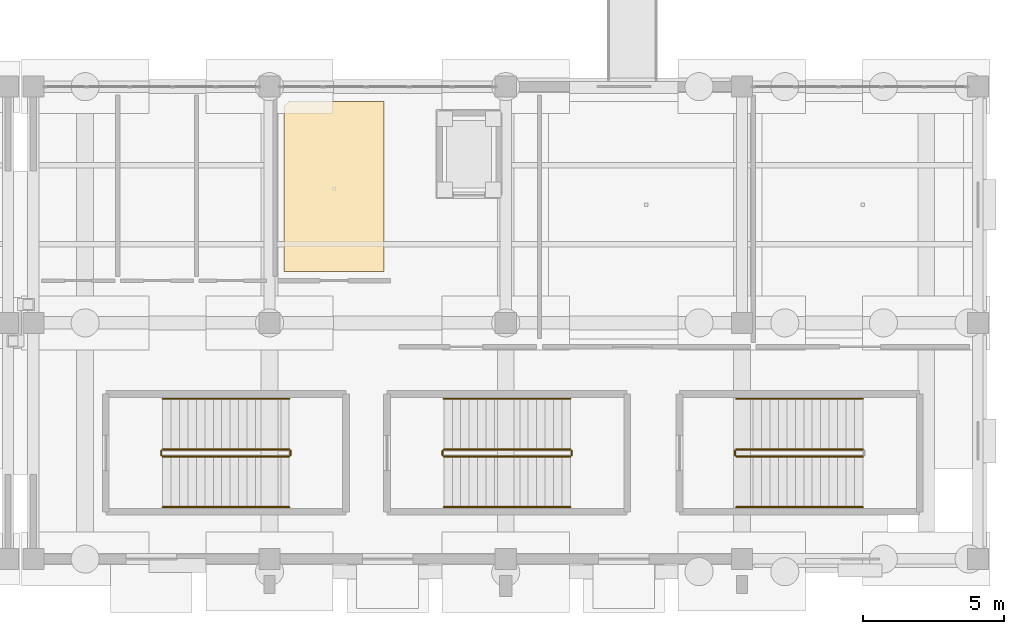
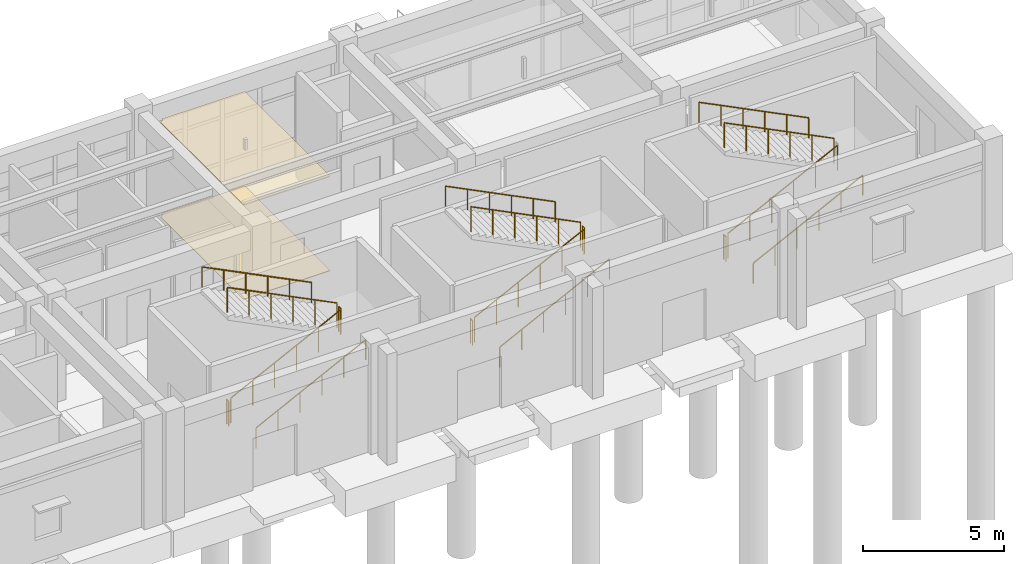
# One storey, part 26 of 29: 17 railings, 2 coverings.
"""IFC4 building model written with IfcOpenShell, lengths in metres."""

from ifc_helpers import new_model, si_unit, direction, frame, origin, origin_2d, place, context, subcontext, project, spatial, polyline, circle, outline, extrude, material, layer, layer_set, type_object, element, save


model = new_model("IFC4")

# Units and contexts
model_context = context("Model", 3, precision=1e-05, world=origin(), true_north=direction((0.0, 1.0)))
body_context = subcontext(model_context, "Body", "Model", "MODEL_VIEW")
ifc_project = project(units=[si_unit("LENGTHUNIT", "METRE"), si_unit("AREAUNIT", "SQUARE_METRE"), si_unit("VOLUMEUNIT", "CUBIC_METRE"), si_unit("PLANEANGLEUNIT", "RADIAN"), si_unit("MASSUNIT", "GRAM", prefix="KILO")], contexts=[model_context])

# Site, building, storey
site_placement = place(None, origin())
site = spatial("IfcSite", under=ifc_project, at=site_placement, CompositionType="ELEMENT")
building_placement = place(site_placement, origin())
building = spatial("IfcBuilding", under=site, at=building_placement, Name="Canglan Escarpment Cableway Terminal", CompositionType="ELEMENT")
storey_placement = place(building_placement, origin())
storey = spatial("IfcBuildingStorey", under=building, at=storey_placement, Name="L00", CompositionType="ELEMENT", Elevation=0.0)

# Coverings
ifc_material_1 = material(Name="Micro-perforated acoustic aluminium ceiling", Category="aluminium")
ifc_layer_1 = layer(ifc_material_1, 0.0400390625, Name="Micro-perforated acoustic aluminium ceiling")
ifc_layer_set_1 = layer_set([ifc_layer_1], Name="Micro-perforated acoustic aluminium ceiling")
covering_type_1 = type_object("IfcCoveringType", Name="COV-CEIL-ACOUSTIC-40", PredefinedType="CEILING", material=ifc_layer_set_1)
covering_1_placement = place(storey_placement, frame((0.0, 0.0, 4.080078125)))
element("IfcCovering", 1, at=covering_1_placement, inside=storey, type_object=covering_type_1, Name="Maternal Care Room suspended acoustic ceiling", PredefinedType="CEILING", context=body_context, shape_type="SweptSolid", body=[
    extrude(outline(polyline([(51.419921875, 24.114013671875), (51.420166015625, 24.115966796875), (51.42041015625, 24.117919921875), (51.4208984375, 24.11962890625), (51.42138671875, 24.121337890625), (51.422119140625, 24.123046875), (51.423095703125, 24.124755859375), (51.42431640625, 24.126220703125), (51.42529296875, 24.127685546875), (51.4267578125, 24.12890625), (51.42822265625, 24.130126953125), (51.4296875, 24.131103515625), (51.431396484375, 24.132080078125), (51.433349609375, 24.1328125), (51.443603515625, 24.13671875), (51.444580078125, 24.136962890625), (51.46337890625, 24.145751953125), (51.464111328125, 24.146240234375), (51.481689453125, 24.15673828125), (51.482666015625, 24.157470703125), (51.499267578125, 24.169677734375), (51.5, 24.17041015625), (51.51513671875, 24.18408203125), (51.515869140625, 24.184814453125), (51.52978515625, 24.2001953125), (51.530517578125, 24.20068359375), (51.54248046875, 24.21728515625), (51.543212890625, 24.21826171875), (51.5537109375, 24.23583984375), (51.55419921875, 24.23681640625), (51.56298828125, 24.25537109375), (51.5634765625, 24.25634765625), (51.567138671875, 24.2666015625), (51.56787109375, 24.2685546875), (51.56884765625, 24.2705078125), (51.570068359375, 24.272216796875), (51.5712890625, 24.273681640625), (51.572998046875, 24.275146484375), (51.574462890625, 24.2763671875), (51.576171875, 24.27734375), (51.577880859375, 24.2783203125), (51.580078125, 24.279052734375), (51.581787109375, 24.279541015625), (51.583984375, 24.27978515625), (51.5859375, 24.280029296875), (54.9599609375, 24.280029296875), (54.9619140625, 24.27978515625), (54.9638671875, 24.279541015625), (54.9658203125, 24.279052734375), (54.9677734375, 24.278564453125), (54.969482421875, 24.277587890625), (54.97119140625, 24.276611328125), (54.97265625, 24.275390625), (54.97412109375, 24.274169921875), (54.9755859375, 24.272705078125), (54.9765625, 24.27099609375), (54.9775390625, 24.269287109375), (54.978515625, 24.267578125), (54.97900390625, 24.265869140625), (54.9794921875, 24.263916015625), (54.97998046875, 24.261962890625), (54.97998046875, 24.260009765625), (54.97998046875, 18.239990234375), (54.97998046875, 18.238037109375), (54.9794921875, 18.236083984375), (54.97900390625, 18.234130859375), (54.978515625, 18.232421875), (54.9775390625, 18.230712890625), (54.9765625, 18.22900390625), (54.9755859375, 18.227294921875), (54.97412109375, 18.225830078125), (54.97265625, 18.224609375), (54.97119140625, 18.223388671875), (54.969482421875, 18.222412109375), (54.9677734375, 18.221435546875), (54.9658203125, 18.220947265625), (54.9638671875, 18.220458984375), (54.9619140625, 18.22021484375), (54.9599609375, 18.219970703125), (51.43994140625, 18.219970703125), (51.43798828125, 18.22021484375), (51.43603515625, 18.220458984375), (51.43408203125, 18.220947265625), (51.432373046875, 18.221435546875), (51.4306640625, 18.222412109375), (51.428955078125, 18.223388671875), (51.42724609375, 18.224609375), (51.42578125, 18.225830078125), (51.424560546875, 18.227294921875), (51.42333984375, 18.22900390625), (51.42236328125, 18.230712890625), (51.42138671875, 18.232421875), (51.4208984375, 18.234130859375), (51.42041015625, 18.236083984375), (51.420166015625, 18.238037109375), (51.419921875, 18.239990234375), (51.419921875, 24.114013671875)])), origin(), (0.0, 0.0, 1.0), 0.0400390625),
])
ifc_material_2 = material(Name="Polished mineral terrazzo flooring", Category="concrete")
ifc_layer_2 = layer(ifc_material_2, 0.02001953125, Name="Polished mineral terrazzo flooring")
ifc_layer_set_2 = layer_set([ifc_layer_2], Name="Polished mineral terrazzo flooring")
covering_type_2 = type_object("IfcCoveringType", Name="COV-FLR-TERRAZZO-20", PredefinedType="FLOORING", material=ifc_layer_set_2)
covering_2_placement = place(storey_placement, origin())
element("IfcCovering", 2, at=covering_2_placement, inside=storey, type_object=covering_type_2, Name="Maternal Care Room stone floor finish", PredefinedType="FLOORING", context=body_context, shape_type="SweptSolid", body=[
    extrude(outline(polyline([(51.419921875, 24.114013671875), (51.420166015625, 24.115966796875), (51.42041015625, 24.117919921875), (51.4208984375, 24.11962890625), (51.42138671875, 24.121337890625), (51.422119140625, 24.123046875), (51.423095703125, 24.124755859375), (51.42431640625, 24.126220703125), (51.42529296875, 24.127685546875), (51.4267578125, 24.12890625), (51.42822265625, 24.130126953125), (51.4296875, 24.131103515625), (51.431396484375, 24.132080078125), (51.433349609375, 24.1328125), (51.443603515625, 24.13671875), (51.444580078125, 24.136962890625), (51.46337890625, 24.145751953125), (51.464111328125, 24.146240234375), (51.481689453125, 24.15673828125), (51.482666015625, 24.157470703125), (51.499267578125, 24.169677734375), (51.5, 24.17041015625), (51.51513671875, 24.18408203125), (51.515869140625, 24.184814453125), (51.52978515625, 24.2001953125), (51.530517578125, 24.20068359375), (51.54248046875, 24.21728515625), (51.543212890625, 24.21826171875), (51.5537109375, 24.23583984375), (51.55419921875, 24.23681640625), (51.56298828125, 24.25537109375), (51.5634765625, 24.25634765625), (51.567138671875, 24.2666015625), (51.56787109375, 24.2685546875), (51.56884765625, 24.2705078125), (51.570068359375, 24.272216796875), (51.5712890625, 24.273681640625), (51.572998046875, 24.275146484375), (51.574462890625, 24.2763671875), (51.576171875, 24.27734375), (51.577880859375, 24.2783203125), (51.580078125, 24.279052734375), (51.581787109375, 24.279541015625), (51.583984375, 24.27978515625), (51.5859375, 24.280029296875), (54.9599609375, 24.280029296875), (54.9619140625, 24.27978515625), (54.9638671875, 24.279541015625), (54.9658203125, 24.279052734375), (54.9677734375, 24.278564453125), (54.969482421875, 24.277587890625), (54.97119140625, 24.276611328125), (54.97265625, 24.275390625), (54.97412109375, 24.274169921875), (54.9755859375, 24.272705078125), (54.9765625, 24.27099609375), (54.9775390625, 24.269287109375), (54.978515625, 24.267578125), (54.97900390625, 24.265869140625), (54.9794921875, 24.263916015625), (54.97998046875, 24.261962890625), (54.97998046875, 24.260009765625), (54.97998046875, 18.239990234375), (54.97998046875, 18.238037109375), (54.9794921875, 18.236083984375), (54.97900390625, 18.234130859375), (54.978515625, 18.232421875), (54.9775390625, 18.230712890625), (54.9765625, 18.22900390625), (54.9755859375, 18.227294921875), (54.97412109375, 18.225830078125), (54.97265625, 18.224609375), (54.97119140625, 18.223388671875), (54.969482421875, 18.222412109375), (54.9677734375, 18.221435546875), (54.9658203125, 18.220947265625), (54.9638671875, 18.220458984375), (54.9619140625, 18.22021484375), (54.9599609375, 18.219970703125), (51.43994140625, 18.219970703125), (51.43798828125, 18.22021484375), (51.43603515625, 18.220458984375), (51.43408203125, 18.220947265625), (51.432373046875, 18.221435546875), (51.4306640625, 18.222412109375), (51.428955078125, 18.223388671875), (51.42724609375, 18.224609375), (51.42578125, 18.225830078125), (51.424560546875, 18.227294921875), (51.42333984375, 18.22900390625), (51.42236328125, 18.230712890625), (51.42138671875, 18.232421875), (51.4208984375, 18.234130859375), (51.42041015625, 18.236083984375), (51.420166015625, 18.238037109375), (51.419921875, 18.239990234375), (51.419921875, 24.114013671875)])), origin(), (0.0, 0.0, 1.0), 0.02001953125),
])

# Railings
ifc_material_3 = material(Name="Powder-coated steel stair balustrade", Category="steel")
railing_type_1 = type_object("IfcRailingType", Name="RL-STR-GUARD-1100", PredefinedType="BALUSTRADE", material=ifc_material_3)
railing_1_placement = place(storey_placement, frame((47.10009765625, 11.64990234375, 0.14990234375)))
element("IfcRailing", 3, at=railing_1_placement, inside=storey, type_object=railing_type_1, Name="L00 ST-03 stair guard 1", PredefinedType="BALUSTRADE", context=body_context, shape_type="SweptSolid", body=[
    extrude(circle(Radius=0.02392578125, at=origin_2d()), frame((0.0, 0.0, 1.076171875), z_axis=(0.894427191, 0.0, 0.4472135955), x_axis=(0.0, 1.0, 0.0)), (0.0, 0.0, 1.0), 5.03125),
    extrude(circle(Radius=0.02099609375, at=origin_2d()), origin(), (0.0, 0.0, 1.0), 1.052001953125),
    extrude(circle(Radius=0.02099609375, at=origin_2d()), frame((0.89990234375, 0.0, 0.449951171875)), (0.0, 0.0, 1.0), 1.052001953125),
    extrude(circle(Radius=0.02099609375, at=origin_2d()), frame((1.800048828125, 0.0, 0.89990234375)), (0.0, 0.0, 1.0), 1.052001953125),
    extrude(circle(Radius=0.02099609375, at=origin_2d()), frame((2.699951171875, 0.0, 1.35009765625)), (0.0, 0.0, 1.0), 1.052001953125),
    extrude(circle(Radius=0.02099609375, at=origin_2d()), frame((3.60009765625, 0.0, 1.800048828125)), (0.0, 0.0, 1.0), 1.052001953125),
    extrude(circle(Radius=0.02099609375, at=origin_2d()), frame((4.5, 0.0, 2.25)), (0.0, 0.0, 1.0), 1.052001953125),
])
railing_2_placement = place(storey_placement, frame((51.64990234375, 11.699951171875, 2.39990234375)))
element("IfcRailing", 4, at=railing_2_placement, inside=storey, type_object=railing_type_1, Name="L00 ST-03 stair guard 2", PredefinedType="BALUSTRADE", context=body_context, shape_type="SweptSolid", body=[
    extrude(circle(Radius=0.02392578125, at=origin_2d()), frame((0.0, 0.0, 1.076171875), z_axis=(0.0, 1.0, 0.0), x_axis=(-1.0, 0.0, 0.0)), (0.0, 0.0, 1.0), 0.150146484375),
    extrude(circle(Radius=0.02099609375, at=origin_2d()), origin(), (0.0, 0.0, 1.0), 1.052001953125),
    extrude(circle(Radius=0.02099609375, at=origin_2d()), frame((0.0, 0.150146484375, 0.0)), (0.0, 0.0, 1.0), 1.052001953125),
])
railing_3_placement = place(storey_placement, frame((51.60009765625, 11.89990234375, 2.550048828125)))
element("IfcRailing", 5, at=railing_3_placement, inside=storey, type_object=railing_type_1, Name="L00 ST-03 stair guard 3", PredefinedType="BALUSTRADE", context=body_context, shape_type="SweptSolid", body=[
    extrude(circle(Radius=0.02392578125, at=origin_2d()), frame((0.0, 0.0, 1.076171875), z_axis=(-0.894427191, 0.0, 0.4472135955), x_axis=(0.0, -1.0, 0.0)), (0.0, 0.0, 1.0), 5.03125),
    extrude(circle(Radius=0.02099609375, at=origin_2d()), origin(), (0.0, 0.0, 1.0), 1.052001953125),
    extrude(circle(Radius=0.02099609375, at=origin_2d()), frame((-0.89990234375, 0.0, 0.449951171875)), (0.0, 0.0, 1.0), 1.052001953125),
    extrude(circle(Radius=0.02099609375, at=origin_2d()), frame((-1.800048828125, 0.0, 0.89990234375)), (0.0, 0.0, 1.0), 1.052001953125),
    extrude(circle(Radius=0.02099609375, at=origin_2d()), frame((-2.699951171875, 0.0, 1.35009765625)), (0.0, 0.0, 1.0), 1.052001953125),
    extrude(circle(Radius=0.02099609375, at=origin_2d()), frame((-3.60009765625, 0.0, 1.800048828125)), (0.0, 0.0, 1.0), 1.052001953125),
    extrude(circle(Radius=0.02099609375, at=origin_2d()), frame((-4.5, 0.0, 2.25)), (0.0, 0.0, 1.0), 1.052001953125),
])
railing_4_placement = place(storey_placement, frame((47.050048828125, 11.699951171875, 0.0)))
element("IfcRailing", 6, at=railing_4_placement, inside=storey, type_object=railing_type_1, Name="L00 ST-03 stair guard 4", PredefinedType="BALUSTRADE", context=body_context, shape_type="SweptSolid", body=[
    extrude(circle(Radius=0.02392578125, at=origin_2d()), frame((0.0, 0.0, 1.076171875), z_axis=(0.0, 1.0, 0.0), x_axis=(-1.0, 0.0, 0.0)), (0.0, 0.0, 1.0), 0.150146484375),
    extrude(circle(Radius=0.02099609375, at=origin_2d()), origin(), (0.0, 0.0, 1.0), 1.052001953125),
    extrude(circle(Radius=0.02099609375, at=origin_2d()), frame((0.0, 0.150146484375, 0.0)), (0.0, 0.0, 1.0), 1.052001953125),
])
railing_5_placement = place(storey_placement, frame((57.10009765625, 11.64990234375, 0.14990234375)))
element("IfcRailing", 7, at=railing_5_placement, inside=storey, type_object=railing_type_1, Name="L00 ST-04 stair guard 1", PredefinedType="BALUSTRADE", context=body_context, shape_type="SweptSolid", body=[
    extrude(circle(Radius=0.02392578125, at=origin_2d()), frame((0.0, 0.0, 1.076171875), z_axis=(0.894427191, 0.0, 0.4472135955), x_axis=(0.0, 1.0, 0.0)), (0.0, 0.0, 1.0), 5.03125),
    extrude(circle(Radius=0.02099609375, at=origin_2d()), origin(), (0.0, 0.0, 1.0), 1.052001953125),
    extrude(circle(Radius=0.02099609375, at=origin_2d()), frame((0.89990234375, 0.0, 0.449951171875)), (0.0, 0.0, 1.0), 1.052001953125),
    extrude(circle(Radius=0.02099609375, at=origin_2d()), frame((1.800048828125, 0.0, 0.89990234375)), (0.0, 0.0, 1.0), 1.052001953125),
    extrude(circle(Radius=0.02099609375, at=origin_2d()), frame((2.699951171875, 0.0, 1.35009765625)), (0.0, 0.0, 1.0), 1.052001953125),
    extrude(circle(Radius=0.02099609375, at=origin_2d()), frame((3.60009765625, 0.0, 1.800048828125)), (0.0, 0.0, 1.0), 1.052001953125),
    extrude(circle(Radius=0.02099609375, at=origin_2d()), frame((4.5, 0.0, 2.25)), (0.0, 0.0, 1.0), 1.052001953125),
])
railing_6_placement = place(storey_placement, frame((61.64990234375, 11.699951171875, 2.39990234375)))
element("IfcRailing", 8, at=railing_6_placement, inside=storey, type_object=railing_type_1, Name="L00 ST-04 stair guard 2", PredefinedType="BALUSTRADE", context=body_context, shape_type="SweptSolid", body=[
    extrude(circle(Radius=0.02392578125, at=origin_2d()), frame((0.0, 0.0, 1.076171875), z_axis=(0.0, 1.0, 0.0), x_axis=(-1.0, 0.0, 0.0)), (0.0, 0.0, 1.0), 0.150146484375),
    extrude(circle(Radius=0.02099609375, at=origin_2d()), origin(), (0.0, 0.0, 1.0), 1.052001953125),
    extrude(circle(Radius=0.02099609375, at=origin_2d()), frame((0.0, 0.150146484375, 0.0)), (0.0, 0.0, 1.0), 1.052001953125),
])
railing_7_placement = place(storey_placement, frame((61.60009765625, 11.89990234375, 2.550048828125)))
element("IfcRailing", 9, at=railing_7_placement, inside=storey, type_object=railing_type_1, Name="L00 ST-04 stair guard 3", PredefinedType="BALUSTRADE", context=body_context, shape_type="SweptSolid", body=[
    extrude(circle(Radius=0.02392578125, at=origin_2d()), frame((0.0, 0.0, 1.076171875), z_axis=(-0.894427191, 0.0, 0.4472135955), x_axis=(0.0, -1.0, 0.0)), (0.0, 0.0, 1.0), 5.03125),
    extrude(circle(Radius=0.02099609375, at=origin_2d()), origin(), (0.0, 0.0, 1.0), 1.052001953125),
    extrude(circle(Radius=0.02099609375, at=origin_2d()), frame((-0.89990234375, 0.0, 0.449951171875)), (0.0, 0.0, 1.0), 1.052001953125),
    extrude(circle(Radius=0.02099609375, at=origin_2d()), frame((-1.800048828125, 0.0, 0.89990234375)), (0.0, 0.0, 1.0), 1.052001953125),
    extrude(circle(Radius=0.02099609375, at=origin_2d()), frame((-2.699951171875, 0.0, 1.35009765625)), (0.0, 0.0, 1.0), 1.052001953125),
    extrude(circle(Radius=0.02099609375, at=origin_2d()), frame((-3.60009765625, 0.0, 1.800048828125)), (0.0, 0.0, 1.0), 1.052001953125),
    extrude(circle(Radius=0.02099609375, at=origin_2d()), frame((-4.5, 0.0, 2.25)), (0.0, 0.0, 1.0), 1.052001953125),
])
railing_8_placement = place(storey_placement, frame((57.050048828125, 11.699951171875, 0.0)))
element("IfcRailing", 10, at=railing_8_placement, inside=storey, type_object=railing_type_1, Name="L00 ST-04 stair guard 4", PredefinedType="BALUSTRADE", context=body_context, shape_type="SweptSolid", body=[
    extrude(circle(Radius=0.02392578125, at=origin_2d()), frame((0.0, 0.0, 1.076171875), z_axis=(0.0, 1.0, 0.0), x_axis=(-1.0, 0.0, 0.0)), (0.0, 0.0, 1.0), 0.150146484375),
    extrude(circle(Radius=0.02099609375, at=origin_2d()), origin(), (0.0, 0.0, 1.0), 1.052001953125),
    extrude(circle(Radius=0.02099609375, at=origin_2d()), frame((0.0, 0.150146484375, 0.0)), (0.0, 0.0, 1.0), 1.052001953125),
])
railing_9_placement = place(storey_placement, frame((67.5, 11.64990234375, 0.14990234375)))
element("IfcRailing", 11, at=railing_9_placement, inside=storey, type_object=railing_type_1, Name="L00 ST-05 stair guard 1", PredefinedType="BALUSTRADE", context=body_context, shape_type="SweptSolid", body=[
    extrude(circle(Radius=0.02392578125, at=origin_2d()), frame((0.0, 0.0, 1.076171875), z_axis=(0.894427191, 0.0, 0.4472135955), x_axis=(0.0, 1.0, 0.0)), (0.0, 0.0, 1.0), 5.03125),
    extrude(circle(Radius=0.02099609375, at=origin_2d()), origin(), (0.0, 0.0, 1.0), 1.052001953125),
    extrude(circle(Radius=0.02099609375, at=origin_2d()), frame((0.89990234375, 0.0, 0.449951171875)), (0.0, 0.0, 1.0), 1.052001953125),
    extrude(circle(Radius=0.02099609375, at=origin_2d()), frame((1.800048828125, 0.0, 0.89990234375)), (0.0, 0.0, 1.0), 1.052001953125),
    extrude(circle(Radius=0.02099609375, at=origin_2d()), frame((2.699951171875, 0.0, 1.35009765625)), (0.0, 0.0, 1.0), 1.052001953125),
    extrude(circle(Radius=0.02099609375, at=origin_2d()), frame((3.60009765625, 0.0, 1.800048828125)), (0.0, 0.0, 1.0), 1.052001953125),
    extrude(circle(Radius=0.02099609375, at=origin_2d()), frame((4.5, 0.0, 2.25)), (0.0, 0.0, 1.0), 1.052001953125),
])
railing_10_placement = place(storey_placement, frame((72.0, 11.89990234375, 2.550048828125)))
element("IfcRailing", 12, at=railing_10_placement, inside=storey, type_object=railing_type_1, Name="L00 ST-05 stair guard 3", PredefinedType="BALUSTRADE", context=body_context, shape_type="SweptSolid", body=[
    extrude(circle(Radius=0.02392578125, at=origin_2d()), frame((0.0, 0.0, 1.076171875), z_axis=(-0.894427191, 0.0, 0.4472135955), x_axis=(0.0, -1.0, 0.0)), (0.0, 0.0, 1.0), 5.03125),
    extrude(circle(Radius=0.02099609375, at=origin_2d()), origin(), (0.0, 0.0, 1.0), 1.052001953125),
    extrude(circle(Radius=0.02099609375, at=origin_2d()), frame((-0.89990234375, 0.0, 0.449951171875)), (0.0, 0.0, 1.0), 1.052001953125),
    extrude(circle(Radius=0.02099609375, at=origin_2d()), frame((-1.800048828125, 0.0, 0.89990234375)), (0.0, 0.0, 1.0), 1.052001953125),
    extrude(circle(Radius=0.02099609375, at=origin_2d()), frame((-2.699951171875, 0.0, 1.35009765625)), (0.0, 0.0, 1.0), 1.052001953125),
    extrude(circle(Radius=0.02099609375, at=origin_2d()), frame((-3.60009765625, 0.0, 1.800048828125)), (0.0, 0.0, 1.0), 1.052001953125),
    extrude(circle(Radius=0.02099609375, at=origin_2d()), frame((-4.5, 0.0, 2.25)), (0.0, 0.0, 1.0), 1.052001953125),
])
railing_11_placement = place(storey_placement, frame((67.449951171875, 11.699951171875, 0.0)))
element("IfcRailing", 13, at=railing_11_placement, inside=storey, type_object=railing_type_1, Name="L00 ST-05 stair guard 4", PredefinedType="BALUSTRADE", context=body_context, shape_type="SweptSolid", body=[
    extrude(circle(Radius=0.02392578125, at=origin_2d()), frame((0.0, 0.0, 1.076171875), z_axis=(0.0, 1.0, 0.0), x_axis=(-1.0, 0.0, 0.0)), (0.0, 0.0, 1.0), 0.150146484375),
    extrude(circle(Radius=0.02099609375, at=origin_2d()), origin(), (0.0, 0.0, 1.0), 1.052001953125),
    extrude(circle(Radius=0.02099609375, at=origin_2d()), frame((0.0, 0.150146484375, 0.0)), (0.0, 0.0, 1.0), 1.052001953125),
])
ifc_material_4 = material(Name="Brushed stainless steel 304 handrail", Category="steel")
railing_type_2 = type_object("IfcRailingType", Name="RL-STR-HR-900", PredefinedType="HANDRAIL", material=ifc_material_4)
railing_12_placement = place(storey_placement, frame((47.10009765625, 9.85009765625, 0.14990234375)))
element("IfcRailing", 14, at=railing_12_placement, inside=storey, type_object=railing_type_2, Name="L00 ST-03 stair handrail 1", PredefinedType="HANDRAIL", context=body_context, shape_type="SweptSolid", body=[
    extrude(circle(Radius=0.02392578125, at=origin_2d()), frame((0.0, 0.0, 0.8759765625), z_axis=(0.894427191, 0.0, 0.4472135955), x_axis=(0.0, 1.0, 0.0)), (0.0, 0.0, 1.0), 5.03125),
    extrude(circle(Radius=0.02099609375, at=origin_2d()), origin(), (0.0, 0.0, 1.0), 0.851806640625),
    extrude(circle(Radius=0.02099609375, at=origin_2d()), frame((0.89990234375, 0.0, 0.449951171875)), (0.0, 0.0, 1.0), 0.851806640625),
    extrude(circle(Radius=0.02099609375, at=origin_2d()), frame((1.800048828125, 0.0, 0.89990234375)), (0.0, 0.0, 1.0), 0.851806640625),
    extrude(circle(Radius=0.02099609375, at=origin_2d()), frame((2.699951171875, 0.0, 1.35009765625)), (0.0, 0.0, 1.0), 0.851806640625),
    extrude(circle(Radius=0.02099609375, at=origin_2d()), frame((3.60009765625, 0.0, 1.800048828125)), (0.0, 0.0, 1.0), 0.851806640625),
    extrude(circle(Radius=0.02099609375, at=origin_2d()), frame((4.5, 0.0, 2.25)), (0.0, 0.0, 1.0), 0.851806640625),
])
railing_13_placement = place(storey_placement, frame((51.60009765625, 13.699951171875, 2.550048828125)))
element("IfcRailing", 15, at=railing_13_placement, inside=storey, type_object=railing_type_2, Name="L00 ST-03 stair handrail 2", PredefinedType="HANDRAIL", context=body_context, shape_type="SweptSolid", body=[
    extrude(circle(Radius=0.02392578125, at=origin_2d()), frame((0.0, 0.0, 0.8759765625), z_axis=(-0.894427191, 0.0, 0.4472135955), x_axis=(0.0, -1.0, 0.0)), (0.0, 0.0, 1.0), 5.03125),
    extrude(circle(Radius=0.02099609375, at=origin_2d()), origin(), (0.0, 0.0, 1.0), 0.851806640625),
    extrude(circle(Radius=0.02099609375, at=origin_2d()), frame((-0.89990234375, 0.0, 0.449951171875)), (0.0, 0.0, 1.0), 0.851806640625),
    extrude(circle(Radius=0.02099609375, at=origin_2d()), frame((-1.800048828125, 0.0, 0.89990234375)), (0.0, 0.0, 1.0), 0.851806640625),
    extrude(circle(Radius=0.02099609375, at=origin_2d()), frame((-2.699951171875, 0.0, 1.35009765625)), (0.0, 0.0, 1.0), 0.851806640625),
    extrude(circle(Radius=0.02099609375, at=origin_2d()), frame((-3.60009765625, 0.0, 1.800048828125)), (0.0, 0.0, 1.0), 0.851806640625),
    extrude(circle(Radius=0.02099609375, at=origin_2d()), frame((-4.5, 0.0, 2.25)), (0.0, 0.0, 1.0), 0.851806640625),
])
railing_14_placement = place(storey_placement, frame((57.10009765625, 9.85009765625, 0.14990234375)))
element("IfcRailing", 16, at=railing_14_placement, inside=storey, type_object=railing_type_2, Name="L00 ST-04 stair handrail 1", PredefinedType="HANDRAIL", context=body_context, shape_type="SweptSolid", body=[
    extrude(circle(Radius=0.02392578125, at=origin_2d()), frame((0.0, 0.0, 0.8759765625), z_axis=(0.894427191, 0.0, 0.4472135955), x_axis=(0.0, 1.0, 0.0)), (0.0, 0.0, 1.0), 5.03125),
    extrude(circle(Radius=0.02099609375, at=origin_2d()), origin(), (0.0, 0.0, 1.0), 0.851806640625),
    extrude(circle(Radius=0.02099609375, at=origin_2d()), frame((0.89990234375, 0.0, 0.449951171875)), (0.0, 0.0, 1.0), 0.851806640625),
    extrude(circle(Radius=0.02099609375, at=origin_2d()), frame((1.800048828125, 0.0, 0.89990234375)), (0.0, 0.0, 1.0), 0.851806640625),
    extrude(circle(Radius=0.02099609375, at=origin_2d()), frame((2.699951171875, 0.0, 1.35009765625)), (0.0, 0.0, 1.0), 0.851806640625),
    extrude(circle(Radius=0.02099609375, at=origin_2d()), frame((3.60009765625, 0.0, 1.800048828125)), (0.0, 0.0, 1.0), 0.851806640625),
    extrude(circle(Radius=0.02099609375, at=origin_2d()), frame((4.5, 0.0, 2.25)), (0.0, 0.0, 1.0), 0.851806640625),
])
railing_15_placement = place(storey_placement, frame((61.60009765625, 13.699951171875, 2.550048828125)))
element("IfcRailing", 17, at=railing_15_placement, inside=storey, type_object=railing_type_2, Name="L00 ST-04 stair handrail 2", PredefinedType="HANDRAIL", context=body_context, shape_type="SweptSolid", body=[
    extrude(circle(Radius=0.02392578125, at=origin_2d()), frame((0.0, 0.0, 0.8759765625), z_axis=(-0.894427191, 0.0, 0.4472135955), x_axis=(0.0, -1.0, 0.0)), (0.0, 0.0, 1.0), 5.03125),
    extrude(circle(Radius=0.02099609375, at=origin_2d()), origin(), (0.0, 0.0, 1.0), 0.851806640625),
    extrude(circle(Radius=0.02099609375, at=origin_2d()), frame((-0.89990234375, 0.0, 0.449951171875)), (0.0, 0.0, 1.0), 0.851806640625),
    extrude(circle(Radius=0.02099609375, at=origin_2d()), frame((-1.800048828125, 0.0, 0.89990234375)), (0.0, 0.0, 1.0), 0.851806640625),
    extrude(circle(Radius=0.02099609375, at=origin_2d()), frame((-2.699951171875, 0.0, 1.35009765625)), (0.0, 0.0, 1.0), 0.851806640625),
    extrude(circle(Radius=0.02099609375, at=origin_2d()), frame((-3.60009765625, 0.0, 1.800048828125)), (0.0, 0.0, 1.0), 0.851806640625),
    extrude(circle(Radius=0.02099609375, at=origin_2d()), frame((-4.5, 0.0, 2.25)), (0.0, 0.0, 1.0), 0.851806640625),
])
railing_16_placement = place(storey_placement, frame((67.5, 9.85009765625, 0.14990234375)))
element("IfcRailing", 18, at=railing_16_placement, inside=storey, type_object=railing_type_2, Name="L00 ST-05 stair handrail 1", PredefinedType="HANDRAIL", context=body_context, shape_type="SweptSolid", body=[
    extrude(circle(Radius=0.02392578125, at=origin_2d()), frame((0.0, 0.0, 0.8759765625), z_axis=(0.894427191, 0.0, 0.4472135955), x_axis=(0.0, 1.0, 0.0)), (0.0, 0.0, 1.0), 5.03125),
    extrude(circle(Radius=0.02099609375, at=origin_2d()), origin(), (0.0, 0.0, 1.0), 0.851806640625),
    extrude(circle(Radius=0.02099609375, at=origin_2d()), frame((0.89990234375, 0.0, 0.449951171875)), (0.0, 0.0, 1.0), 0.851806640625),
    extrude(circle(Radius=0.02099609375, at=origin_2d()), frame((1.800048828125, 0.0, 0.89990234375)), (0.0, 0.0, 1.0), 0.851806640625),
    extrude(circle(Radius=0.02099609375, at=origin_2d()), frame((2.699951171875, 0.0, 1.35009765625)), (0.0, 0.0, 1.0), 0.851806640625),
    extrude(circle(Radius=0.02099609375, at=origin_2d()), frame((3.60009765625, 0.0, 1.800048828125)), (0.0, 0.0, 1.0), 0.851806640625),
    extrude(circle(Radius=0.02099609375, at=origin_2d()), frame((4.5, 0.0, 2.25)), (0.0, 0.0, 1.0), 0.851806640625),
])
railing_17_placement = place(storey_placement, frame((72.0, 13.699951171875, 2.550048828125)))
element("IfcRailing", 19, at=railing_17_placement, inside=storey, type_object=railing_type_2, Name="L00 ST-05 stair handrail 2", PredefinedType="HANDRAIL", context=body_context, shape_type="SweptSolid", body=[
    extrude(circle(Radius=0.02392578125, at=origin_2d()), frame((0.0, 0.0, 0.8759765625), z_axis=(-0.894427191, 0.0, 0.4472135955), x_axis=(0.0, -1.0, 0.0)), (0.0, 0.0, 1.0), 5.03125),
    extrude(circle(Radius=0.02099609375, at=origin_2d()), origin(), (0.0, 0.0, 1.0), 0.851806640625),
    extrude(circle(Radius=0.02099609375, at=origin_2d()), frame((-0.89990234375, 0.0, 0.449951171875)), (0.0, 0.0, 1.0), 0.851806640625),
    extrude(circle(Radius=0.02099609375, at=origin_2d()), frame((-1.800048828125, 0.0, 0.89990234375)), (0.0, 0.0, 1.0), 0.851806640625),
    extrude(circle(Radius=0.02099609375, at=origin_2d()), frame((-2.699951171875, 0.0, 1.35009765625)), (0.0, 0.0, 1.0), 0.851806640625),
    extrude(circle(Radius=0.02099609375, at=origin_2d()), frame((-3.60009765625, 0.0, 1.800048828125)), (0.0, 0.0, 1.0), 0.851806640625),
    extrude(circle(Radius=0.02099609375, at=origin_2d()), frame((-4.5, 0.0, 2.25)), (0.0, 0.0, 1.0), 0.851806640625),
])

save(model, "model.ifc")
